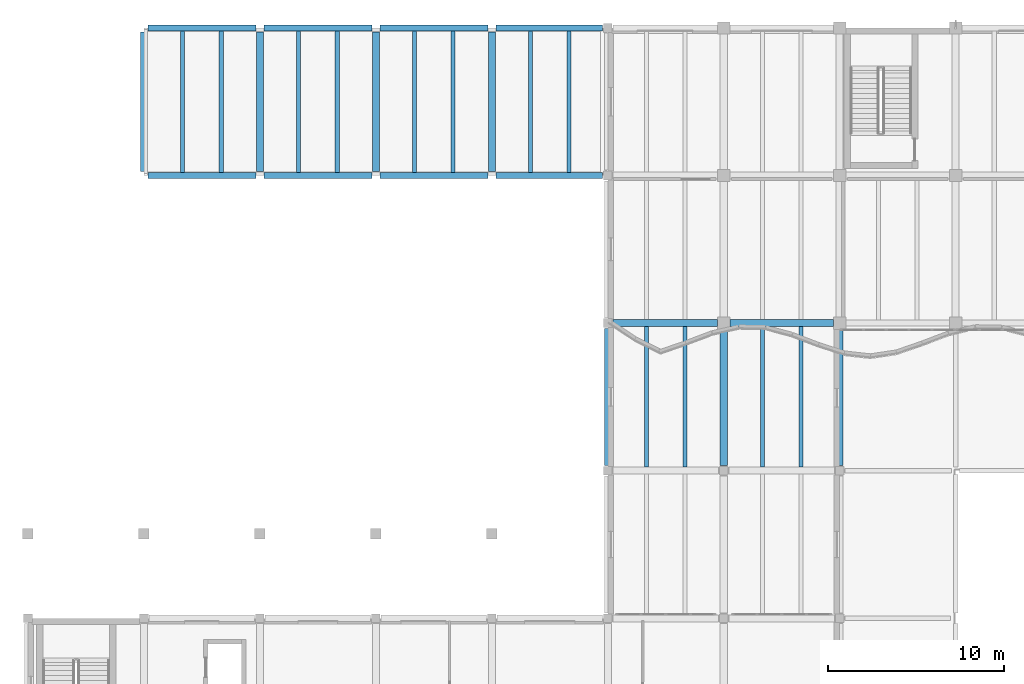
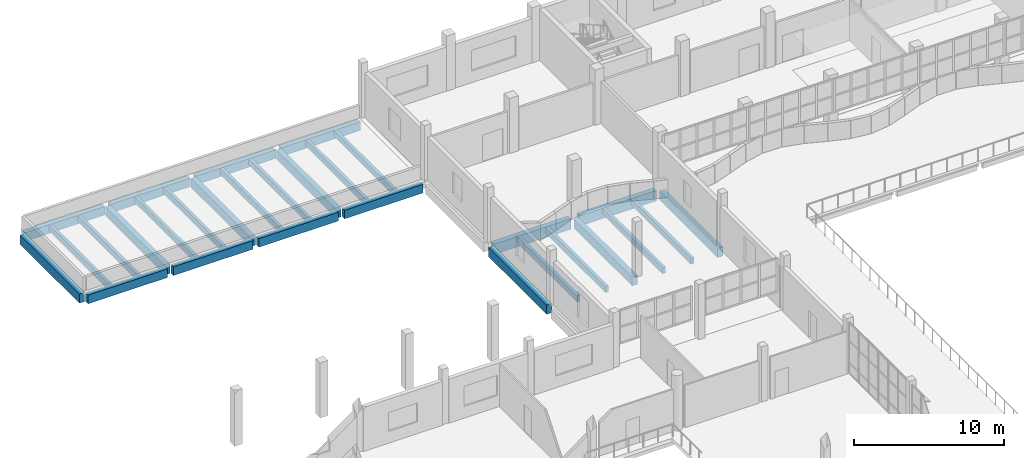
# One storey, part 9 of 83: 29 beams.
"""IFC4 building model written with IfcOpenShell, lengths in metres."""

from ifc_helpers import new_model, si_unit, direction, frame, origin, origin_2d, place, context, subcontext, project, spatial, rectangle, extrude, material, material_profile, profile_set, type_object, element, save


model = new_model("IFC4")

# Units and contexts
model_context = context("Model", 3, precision=1e-05, world=origin(), true_north=direction((0.0, 1.0)))
body_context = subcontext(model_context, "Body", "Model", "MODEL_VIEW")
ifc_project = project(units=[si_unit("LENGTHUNIT", "METRE"), si_unit("AREAUNIT", "SQUARE_METRE"), si_unit("VOLUMEUNIT", "CUBIC_METRE"), si_unit("PLANEANGLEUNIT", "RADIAN"), si_unit("MASSUNIT", "GRAM", prefix="KILO")], contexts=[model_context])

# Site, building, storey
site_placement = place(None, origin())
site = spatial("IfcSite", under=ifc_project, at=site_placement, CompositionType="ELEMENT")
building_placement = place(site_placement, origin())
building = spatial("IfcBuilding", under=site, at=building_placement, Name="Qaldarim Faculty of Natural and Applied Sciences", CompositionType="ELEMENT")
storey_placement = place(building_placement, frame((0.0, 0.0, 5.39990234375)))
storey = spatial("IfcBuildingStorey", under=building, at=storey_placement, Name="L01", CompositionType="ELEMENT", Elevation=5.39990234375)

# Beams
ifc_material_1 = material(Name="Concrete C40/50", Category="concrete")
ifc_material_profile_1 = material_profile(ifc_material_1, rectangle(XDim=0.239990234375, YDim=0.5, at=origin_2d()), Name="RC-J240x500")
ifc_profile_set_1 = profile_set([ifc_material_profile_1], Name="Concrete C40/50")
beam_type_1 = type_object("IfcBeamType", Name="HeavyJoist-RC240x500", PredefinedType="JOIST", material=ifc_profile_set_1)
for number, where, z_axis, x_axis, name in (
    (1, (8.800048828125, 109.375, -0.5498046875), (0.0, 1.0, 0.0), (-1.0, 0.0, 0.0), "Laboratory joist L00 bay X02Y14-1"),
    (2, (11.0, 109.375, -0.5498046875), (0.0, 1.0, 0.0), (-1.0, 0.0, 0.0), "Laboratory joist L00 bay X02Y14-2"),
    (3, (15.39990234375, 109.375, -0.5498046875), (0.0, 1.0, 0.0), (-1.0, 0.0, 0.0), "Laboratory joist L00 bay X03Y14-1"),
    (4, (17.60009765625, 109.375, -0.5498046875), (0.0, 1.0, 0.0), (-1.0, 0.0, 0.0), "Laboratory joist L00 bay X03Y14-2"),
    (5, (22.0, 109.375, -0.5498046875), (0.0, 1.0, 0.0), (-1.0, 0.0, 0.0), "Laboratory joist L00 bay X04Y14-1"),
    (6, (24.199951171875, 109.375, -0.5498046875), (0.0, 1.0, 0.0), (-1.0, 0.0, 0.0), "Laboratory joist L00 bay X04Y14-2"),
    (7, (28.60009765625, 109.375, -0.5498046875), (0.0, 1.0, 0.0), (-1.0, 0.0, 0.0), "Laboratory joist L00 bay X05Y14-1"),
    (8, (30.800048828125, 109.375, -0.5498046875), (0.0, 1.0, 0.0), (-1.0, 0.0, 0.0), "Laboratory joist L00 bay X05Y14-2"),
):
    element("IfcBeam", number, at=place(storey_placement, frame(where, z_axis=z_axis, x_axis=x_axis)), inside=storey, type_object=beam_type_1, Name=name, PredefinedType="JOIST", context=body_context, shape_type="SweptSolid", body=[
        extrude(rectangle(XDim=0.239990234375, YDim=0.5, at=origin_2d()), origin(), (0.0, 0.0, 1.0), 8.050048828125),
    ])
for number, where, z_axis, x_axis, name in (
    (9, (35.199951171875, 92.60009765625, -0.5498046875), (0.0, 1.0, 0.0), (-1.0, 0.0, 0.0), "Laboratory joist L00 bay X06Y12-1"),
    (10, (37.39990234375, 92.60009765625, -0.5498046875), (0.0, 1.0, 0.0), (-1.0, 0.0, 0.0), "Laboratory joist L00 bay X06Y12-2"),
    (11, (41.800048828125, 92.60009765625, -0.5498046875), (0.0, 1.0, 0.0), (-1.0, 0.0, 0.0), "Laboratory joist L00 bay X07Y12-1"),
    (12, (44.0, 92.60009765625, -0.5498046875), (0.0, 1.0, 0.0), (-1.0, 0.0, 0.0), "Laboratory joist L00 bay X07Y12-2"),
):
    element("IfcBeam", number, at=place(storey_placement, frame(where, z_axis=z_axis, x_axis=x_axis)), inside=storey, type_object=beam_type_1, Name=name, PredefinedType="JOIST", context=body_context, shape_type="SweptSolid", body=[
        extrude(rectangle(XDim=0.239990234375, YDim=0.5, at=origin_2d()), origin(), (0.0, 0.0, 1.0), 8.0),
    ])
ifc_material_2 = material(Name="Concrete C50/60", Category="concrete")
ifc_material_profile_2 = material_profile(ifc_material_2, rectangle(XDim=0.39990234375, YDim=0.75, at=origin_2d()), Name="RC-B400x750")
ifc_profile_set_2 = profile_set([ifc_material_profile_2], Name="Concrete C50/60")
beam_type_2 = type_object("IfcBeamType", Name="LabGirder-RC400x750", PredefinedType="BEAM", material=ifc_profile_set_2)
for number, where, z_axis, x_axis, name in (
    (13, (6.60009765625, 109.425048828125, -0.6748046875), (0.0, 1.0, 0.0), (-1.0, 0.0, 0.0), "Beam RC-B400x750 L00 X02/Y14-Y15"),
    (14, (13.199951171875, 109.425048828125, -0.6748046875), (0.0, 1.0, 0.0), (-1.0, 0.0, 0.0), "Beam RC-B400x750 L00 X03/Y14-Y15"),
    (15, (19.800048828125, 109.425048828125, -0.6748046875), (0.0, 1.0, 0.0), (-1.0, 0.0, 0.0), "Beam RC-B400x750 L00 X04/Y14-Y15"),
    (16, (26.39990234375, 109.425048828125, -0.6748046875), (0.0, 1.0, 0.0), (-1.0, 0.0, 0.0), "Beam RC-B400x750 L00 X05/Y14-Y15"),
):
    element("IfcBeam", number, at=place(storey_placement, frame(where, z_axis=z_axis, x_axis=x_axis)), inside=storey, type_object=beam_type_2, Name=name, PredefinedType="BEAM", context=body_context, shape_type="SweptSolid", body=[
        extrude(rectangle(XDim=0.39990234375, YDim=0.75, at=origin_2d()), origin(), (0.0, 0.0, 1.0), 7.949951171875),
    ])
beam_1_placement = place(storey_placement, frame((33.0, 92.699951171875, -0.6748046875), z_axis=(0.0, 1.0, 0.0), x_axis=(-1.0, 0.0, 0.0)))
element("IfcBeam", 17, at=beam_1_placement, inside=storey, type_object=beam_type_2, Name="Beam RC-B400x750 L00 X06/Y12-Y13", PredefinedType="BEAM", context=body_context, shape_type="SweptSolid", body=[
    extrude(rectangle(XDim=0.39990234375, YDim=0.75, at=origin_2d()), origin(), (0.0, 0.0, 1.0), 7.800048828125),
])
for number, where, z_axis, x_axis, name in (
    (18, (39.60009765625, 92.699951171875, -0.6748046875), (0.0, 1.0, 0.0), (-1.0, 0.0, 0.0), "Beam RC-B400x750 L00 X07/Y12-Y13"),
    (19, (46.199951171875, 92.699951171875, -0.6748046875), (0.0, 1.0, 0.0), (-1.0, 0.0, 0.0), "Beam RC-B400x750 L00 X08/Y12-Y13"),
):
    element("IfcBeam", number, at=place(storey_placement, frame(where, z_axis=z_axis, x_axis=x_axis)), inside=storey, type_object=beam_type_2, Name=name, PredefinedType="BEAM", context=body_context, shape_type="SweptSolid", body=[
        extrude(rectangle(XDim=0.39990234375, YDim=0.75, at=origin_2d()), origin(), (0.0, 0.0, 1.0), 7.75),
    ])
ifc_material_profile_3 = material_profile(ifc_material_2, rectangle(XDim=0.39990234375, YDim=0.85009765625, at=origin_2d()), Name="RC-B400x850")
ifc_profile_set_3 = profile_set([ifc_material_profile_3], Name="Concrete C50/60")
beam_type_3 = type_object("IfcBeamType", Name="PodiumGirder-RC400x850", PredefinedType="BEAM", material=ifc_profile_set_3)
beam_2_placement = place(storey_placement, frame((33.300048828125, 100.800048828125, -0.724853515625), z_axis=(1.0, 0.0, 0.0), x_axis=(0.0, 1.0, 0.0)))
element("IfcBeam", 20, at=beam_2_placement, inside=storey, type_object=beam_type_3, Name="Beam RC-B400x850 L00 X06-X07/Y13", PredefinedType="BEAM", context=body_context, shape_type="SweptSolid", body=[
    extrude(rectangle(XDim=0.39990234375, YDim=0.85009765625, at=origin_2d()), origin(), (0.0, 0.0, 1.0), 5.949951171875),
])
beam_3_placement = place(storey_placement, frame((39.949951171875, 100.800048828125, -0.724853515625), z_axis=(1.0, 0.0, 0.0), x_axis=(0.0, 1.0, 0.0)))
element("IfcBeam", 21, at=beam_3_placement, inside=storey, type_object=beam_type_3, Name="Beam RC-B400x850 L00 X07-X08/Y13", PredefinedType="BEAM", context=body_context, shape_type="SweptSolid", body=[
    extrude(rectangle(XDim=0.39990234375, YDim=0.85009765625, at=origin_2d()), origin(), (0.0, 0.0, 1.0), 5.900146484375),
])
ifc_material_profile_4 = material_profile(ifc_material_1, rectangle(XDim=0.35009765625, YDim=0.699951171875, at=origin_2d()), Name="RC-B350x700")
ifc_profile_set_4 = profile_set([ifc_material_profile_4], Name="Concrete C40/50")
beam_type_4 = type_object("IfcBeamType", Name="PrimaryGirder-RC350x700", PredefinedType="BEAM", material=ifc_profile_set_4)
beam_4_placement = place(storey_placement, frame((6.824951171875, 109.199951171875, -0.64990234375), z_axis=(1.0, 0.0, 0.0), x_axis=(0.0, 1.0, 0.0)))
element("IfcBeam", 22, at=beam_4_placement, inside=storey, type_object=beam_type_4, Name="Beam RC-B350x700 L00 X02-X03/Y14", PredefinedType="BEAM", context=body_context, shape_type="SweptSolid", body=[
    extrude(rectangle(XDim=0.35009765625, YDim=0.699951171875, at=origin_2d()), origin(), (0.0, 0.0, 1.0), 6.150146484375),
])
beam_5_placement = place(storey_placement, frame((13.425048828125, 109.199951171875, -0.64990234375), z_axis=(1.0, 0.0, 0.0), x_axis=(0.0, 1.0, 0.0)))
element("IfcBeam", 23, at=beam_5_placement, inside=storey, type_object=beam_type_4, Name="Beam RC-B350x700 L00 X03-X04/Y14", PredefinedType="BEAM", context=body_context, shape_type="SweptSolid", body=[
    extrude(rectangle(XDim=0.35009765625, YDim=0.699951171875, at=origin_2d()), origin(), (0.0, 0.0, 1.0), 6.14990234375),
])
beam_6_placement = place(storey_placement, frame((20.02490234375, 109.199951171875, -0.64990234375), z_axis=(1.0, 0.0, 0.0), x_axis=(0.0, 1.0, 0.0)))
element("IfcBeam", 24, at=beam_6_placement, inside=storey, type_object=beam_type_4, Name="Beam RC-B350x700 L00 X04-X05/Y14", PredefinedType="BEAM", context=body_context, shape_type="SweptSolid", body=[
    extrude(rectangle(XDim=0.35009765625, YDim=0.699951171875, at=origin_2d()), origin(), (0.0, 0.0, 1.0), 6.150146484375),
])
beam_7_placement = place(storey_placement, frame((26.625, 109.199951171875, -0.64990234375), z_axis=(1.0, 0.0, 0.0), x_axis=(0.0, 1.0, 0.0)))
element("IfcBeam", 25, at=beam_7_placement, inside=storey, type_object=beam_type_4, Name="Beam RC-B350x700 L00 X05-X06/Y14", PredefinedType="BEAM", context=body_context, shape_type="SweptSolid", body=[
    extrude(rectangle(XDim=0.35009765625, YDim=0.699951171875, at=origin_2d()), origin(), (0.0, 0.0, 1.0), 6.074951171875),
])
beam_8_placement = place(storey_placement, frame((6.824951171875, 117.60009765625, -0.64990234375), z_axis=(1.0, 0.0, 0.0), x_axis=(0.0, 1.0, 0.0)))
element("IfcBeam", 26, at=beam_8_placement, inside=storey, type_object=beam_type_4, Name="Beam RC-B350x700 L00 X02-X03/Y15", PredefinedType="BEAM", context=body_context, shape_type="SweptSolid", body=[
    extrude(rectangle(XDim=0.35009765625, YDim=0.699951171875, at=origin_2d()), origin(), (0.0, 0.0, 1.0), 6.150146484375),
])
beam_9_placement = place(storey_placement, frame((13.425048828125, 117.60009765625, -0.64990234375), z_axis=(1.0, 0.0, 0.0), x_axis=(0.0, 1.0, 0.0)))
element("IfcBeam", 27, at=beam_9_placement, inside=storey, type_object=beam_type_4, Name="Beam RC-B350x700 L00 X03-X04/Y15", PredefinedType="BEAM", context=body_context, shape_type="SweptSolid", body=[
    extrude(rectangle(XDim=0.35009765625, YDim=0.699951171875, at=origin_2d()), origin(), (0.0, 0.0, 1.0), 6.14990234375),
])
beam_10_placement = place(storey_placement, frame((20.02490234375, 117.60009765625, -0.64990234375), z_axis=(1.0, 0.0, 0.0), x_axis=(0.0, 1.0, 0.0)))
element("IfcBeam", 28, at=beam_10_placement, inside=storey, type_object=beam_type_4, Name="Beam RC-B350x700 L00 X04-X05/Y15", PredefinedType="BEAM", context=body_context, shape_type="SweptSolid", body=[
    extrude(rectangle(XDim=0.35009765625, YDim=0.699951171875, at=origin_2d()), origin(), (0.0, 0.0, 1.0), 6.150146484375),
])
beam_11_placement = place(storey_placement, frame((26.625, 117.60009765625, -0.64990234375), z_axis=(1.0, 0.0, 0.0), x_axis=(0.0, 1.0, 0.0)))
element("IfcBeam", 29, at=beam_11_placement, inside=storey, type_object=beam_type_4, Name="Beam RC-B350x700 L00 X05-X06/Y15", PredefinedType="BEAM", context=body_context, shape_type="SweptSolid", body=[
    extrude(rectangle(XDim=0.35009765625, YDim=0.699951171875, at=origin_2d()), origin(), (0.0, 0.0, 1.0), 6.074951171875),
])

save(model, "model.ifc")
